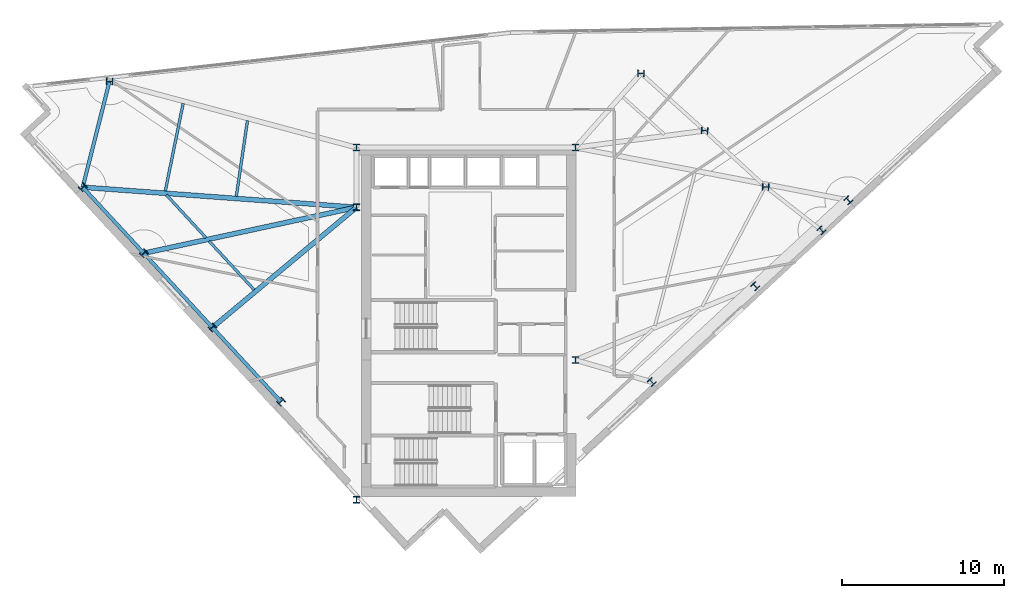
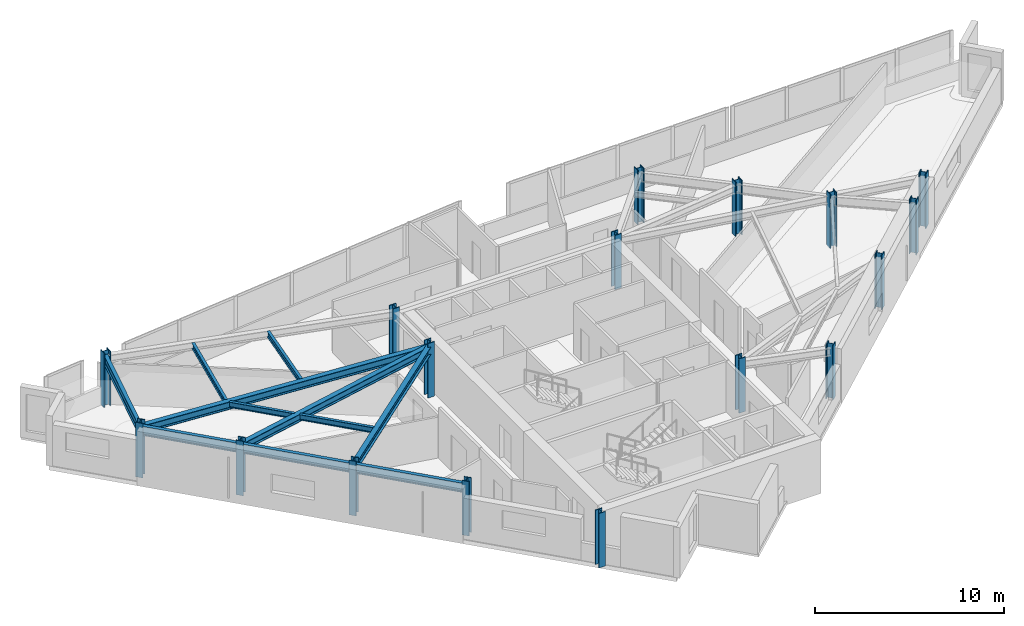
# One storey, part 1 of 14: 17 columns, 11 beams.
"""IFC4 building model written with IfcOpenShell, lengths in metres."""

from ifc_helpers import new_model, si_unit, direction, frame, origin, origin_2d, place, context, subcontext, project, spatial, i_section, extrude, material, material_profile, profile_set, type_object, element, save


model = new_model("IFC4")

# Units and contexts
model_context = context("Model", 3, precision=1e-05, world=origin(), true_north=direction((0.0, 1.0)))
body_context = subcontext(model_context, "Body", "Model", "MODEL_VIEW")
ifc_project = project(units=[si_unit("LENGTHUNIT", "METRE"), si_unit("AREAUNIT", "SQUARE_METRE"), si_unit("VOLUMEUNIT", "CUBIC_METRE"), si_unit("PLANEANGLEUNIT", "RADIAN"), si_unit("MASSUNIT", "GRAM", prefix="KILO")], contexts=[model_context])

# Site, building, storey
site_placement = place(None, origin())
site = spatial("IfcSite", under=ifc_project, at=site_placement, CompositionType="ELEMENT")
building_placement = place(site_placement, origin())
building = spatial("IfcBuilding", under=site, at=building_placement, Name="Narakoshi Arena Tower", CompositionType="ELEMENT")
storey_placement = place(building_placement, frame((0.0, 0.0, 288.89990234375)))
storey = spatial("IfcBuildingStorey", under=building, at=storey_placement, Name="L79", CompositionType="ELEMENT", Elevation=288.89990234375)

# Columns
ifc_material = material(Name="Structural steel S355J2", Category="steel")
ifc_material_profile_1 = material_profile(ifc_material, i_section(OverallWidth=0.406005859375, OverallDepth=0.416015625, WebThickness=0.02978515625, FlangeThickness=0.048095703125, FilletRadius=0.014892578125, at=origin_2d()), Name="HD400x382")
ifc_profile_set_1 = profile_set([ifc_material_profile_1], Name="Structural steel S355J2")
column_type = type_object("IfcColumnType", Name="COL-STL382", PredefinedType="COLUMN", material=ifc_profile_set_1)
for number, where, z_axis, x_axis, name in (
    (1, (72.0, 34.699951171875, 0.0), (0.0, 0.0, 1.0), (1.0, 0.0, 0.0), "L79 Core Structural Column CC1"),
    (2, (85.550048828125, 43.35009765625, 0.0), (0.0, 0.0, 1.0), (1.0, 0.0, 0.0), "L79 Core Structural Column CC3"),
    (3, (72.0, 52.800048828125, 0.0), (0.0, 0.0, 1.0), (1.0, 0.0, 0.0), "L79 Core Structural Column CC4"),
    (4, (72.0, 56.5, 0.0), (0.0, 0.0, 1.0), (1.0, 0.0, 0.0), "L79 Core Structural Column CC5"),
    (5, (85.550048828125, 56.5, 0.0), (0.0, 0.0, 1.0), (1.0, 0.0, 0.0), "L79 Core Structural Column CC6"),
    (6, (90.2734375, 41.992919921875, 0.0), (0.0, 0.0, 1.0), (0.734322509436, 0.678800745533, 0.0), "L79 Tower Perimeter Column TC01"),
    (7, (96.6787109375, 47.913818359375, 0.0), (0.0, 0.0, 1.0), (0.734322509436, 0.678800745533, 0.0), "L79 Tower Perimeter Column TC02"),
    (8, (102.443359375, 53.242431640625, 0.0), (0.0, 0.0, 1.0), (0.734322509436, 0.678800745533, 0.0), "L79 Tower Perimeter Column TC03"),
    (9, (100.78173828125, 51.379638671875, 0.0), (0.0, 0.0, 1.0), (0.734322509436, 0.678800745533, 0.0), "L79 Tower Perimeter Column TC04"),
    (10, (97.3291015625, 54.0654296875, 0.0), (0.0, 0.0, 1.0), (0.039259815759, 0.999229036241, 0.0), "L79 Tower Perimeter Column TC05"),
    (11, (93.55029296875, 57.543701171875, 0.0), (0.0, 0.0, 1.0), (0.039259815759, 0.999229036241, 0.0), "L79 Tower Perimeter Column TC06"),
    (12, (89.611328125, 61.09033203125, 0.0), (0.0, 0.0, 1.0), (0.039259815759, 0.999229036241, 0.0), "L79 Tower Perimeter Column TC07"),
    (13, (56.717041015625, 60.59814453125, 0.0), (0.0, 0.0, 1.0), (0.039259815759, 0.999229036241, 0.0), "L79 Tower Perimeter Column TC10"),
    (14, (55.05810546875, 54.04638671875, 0.0), (0.0, 0.0, 1.0), (-0.678800745533, 0.734322509436, 0.0), "L79 Tower Perimeter Column TC13"),
    (15, (58.8349609375, 49.960693359375, 0.0), (0.0, 0.0, 1.0), (-0.678800745533, 0.734322509436, 0.0), "L79 Tower Perimeter Column TC14"),
    (16, (63.083984375, 45.3642578125, 0.0), (0.0, 0.0, 1.0), (-0.678800745533, 0.734322509436, 0.0), "L79 Tower Perimeter Column TC15"),
    (17, (67.332763671875, 40.767578125, 0.0), (0.0, 0.0, 1.0), (-0.678800745533, 0.734322509436, 0.0), "L79 Tower Perimeter Column TC16"),
):
    element("IfcColumn", number, at=place(storey_placement, frame(where, z_axis=z_axis, x_axis=x_axis)), inside=storey, type_object=column_type, Name=name, PredefinedType="COLUMN", context=body_context, shape_type="SweptSolid", body=[
        extrude(i_section(OverallWidth=0.406005859375, OverallDepth=0.416015625, WebThickness=0.02978515625, FlangeThickness=0.048095703125, FilletRadius=0.014892578125, at=origin_2d()), origin(), (0.0, 0.0, 1.0), 3.52001953125),
    ])

# Beams
ifc_material_profile_2 = material_profile(ifc_material, i_section(OverallWidth=0.219970703125, OverallDepth=0.60009765625, WebThickness=0.011962890625, FlangeThickness=0.01904296875, FilletRadius=0.02392578125, at=origin_2d()), Name="IPE600")
ifc_profile_set_2 = profile_set([ifc_material_profile_2], Name="Structural steel S355J2")
beam_type_1 = type_object("IfcBeamType", Name="BM-EDGE-600", PredefinedType="BEAM", material=ifc_profile_set_2)
beam_1_placement = place(storey_placement, frame((56.717041015625, 60.59814453125, 2.960205078125), z_axis=(-0.245458392699, -0.969407126781, 0.0), x_axis=(0.969407126781, -0.245458392699, 0.0)))
element("IfcBeam", 18, at=beam_1_placement, inside=storey, type_object=beam_type_1, Name="L79 Perimeter Edge Girder 08", PredefinedType="BEAM", context=body_context, shape_type="SweptSolid", body=[
    extrude(i_section(OverallWidth=0.219970703125, OverallDepth=0.60009765625, WebThickness=0.011962890625, FlangeThickness=0.01904296875, FilletRadius=0.02392578125, at=origin_2d()), origin(), (0.0, 0.0, 1.0), 6.758544921875),
])
beam_2_placement = place(storey_placement, frame((55.05810546875, 54.04638671875, 2.960205078125), z_axis=(0.678808438166, -0.734315398365, 0.0), x_axis=(0.734315398365, 0.678808438166, 0.0)))
element("IfcBeam", 19, at=beam_2_placement, inside=storey, type_object=beam_type_1, Name="L79 Perimeter Edge Girder 09", PredefinedType="BEAM", context=body_context, shape_type="SweptSolid", body=[
    extrude(i_section(OverallWidth=0.219970703125, OverallDepth=0.60009765625, WebThickness=0.011962890625, FlangeThickness=0.01904296875, FilletRadius=0.02392578125, at=origin_2d()), origin(), (0.0, 0.0, 1.0), 5.56396484375),
])
for number, where, z_axis, x_axis, name in (
    (20, (58.8349609375, 49.960693359375, 2.960205078125), (0.678811265787, -0.734312784473, 0.0), (0.734312784473, 0.678811265787, 0.0), "L79 Perimeter Edge Girder 10"),
    (21, (63.083984375, 45.3642578125, 2.960205078125), (0.678770792221, -0.734350196859, 0.0), (0.734350196859, 0.678770792221, 0.0), "L79 Perimeter Edge Girder 11"),
):
    element("IfcBeam", number, at=place(storey_placement, frame(where, z_axis=z_axis, x_axis=x_axis)), inside=storey, type_object=beam_type_1, Name=name, PredefinedType="BEAM", context=body_context, shape_type="SweptSolid", body=[
        extrude(i_section(OverallWidth=0.219970703125, OverallDepth=0.60009765625, WebThickness=0.011962890625, FlangeThickness=0.01904296875, FilletRadius=0.02392578125, at=origin_2d()), origin(), (0.0, 0.0, 1.0), 6.259521484375),
    ])
ifc_material_profile_3 = material_profile(ifc_material, i_section(OverallWidth=0.300048828125, OverallDepth=0.5, WebThickness=0.014404296875, FlangeThickness=0.028076171875, FilletRadius=0.027099609375, at=origin_2d()), Name="HE500B")
ifc_profile_set_3 = profile_set([ifc_material_profile_3], Name="Structural steel S355J2")
beam_type_2 = type_object("IfcBeamType", Name="BM-PRI-500", PredefinedType="BEAM", material=ifc_profile_set_3)
beam_3_placement = place(storey_placement, frame((72.0, 52.800048828125, 3.010009765625), z_axis=(-0.997304997013, 0.073367178859, 0.0), x_axis=(-0.073367178859, -0.997304997013, 0.0)))
element("IfcBeam", 22, at=beam_3_placement, inside=storey, type_object=beam_type_2, Name="L79 Radial Primary Floor Girder 09", PredefinedType="BEAM", context=body_context, shape_type="SweptSolid", body=[
    extrude(i_section(OverallWidth=0.300048828125, OverallDepth=0.5, WebThickness=0.014404296875, FlangeThickness=0.028076171875, FilletRadius=0.027099609375, at=origin_2d()), origin(), (0.0, 0.0, 1.0), 16.98779296875),
])
beam_4_placement = place(storey_placement, frame((72.0, 52.800048828125, 3.010009765625), z_axis=(-0.977523534755, -0.210826324256, 0.0), x_axis=(0.210826324256, -0.977523534755, 0.0)))
element("IfcBeam", 23, at=beam_4_placement, inside=storey, type_object=beam_type_2, Name="L79 Radial Primary Floor Girder 10", PredefinedType="BEAM", context=body_context, shape_type="SweptSolid", body=[
    extrude(i_section(OverallWidth=0.300048828125, OverallDepth=0.5, WebThickness=0.014404296875, FlangeThickness=0.028076171875, FilletRadius=0.027099609375, at=origin_2d()), origin(), (0.0, 0.0, 1.0), 13.4677734375),
])
beam_5_placement = place(storey_placement, frame((72.0, 52.800048828125, 3.010009765625), z_axis=(-0.767976460513, -0.640478068397, 0.0), x_axis=(0.640478068397, -0.767976460513, 0.0)))
element("IfcBeam", 24, at=beam_5_placement, inside=storey, type_object=beam_type_2, Name="L79 Radial Primary Floor Girder 11", PredefinedType="BEAM", context=body_context, shape_type="SweptSolid", body=[
    extrude(i_section(OverallWidth=0.300048828125, OverallDepth=0.5, WebThickness=0.014404296875, FlangeThickness=0.028076171875, FilletRadius=0.027099609375, at=origin_2d()), origin(), (0.0, 0.0, 1.0), 11.60986328125),
])
ifc_material_profile_4 = material_profile(ifc_material, i_section(OverallWidth=0.169921875, OverallDepth=0.360107421875, WebThickness=0.008056640625, FlangeThickness=0.0126953125, FilletRadius=0.01806640625, at=origin_2d()), Name="IPE360")
ifc_profile_set_4 = profile_set([ifc_material_profile_4], Name="Structural steel S355J2")
beam_type_3 = type_object("IfcBeamType", Name="BM-SEC-360", PredefinedType="JOIST", material=ifc_profile_set_4)
beam_6_placement = place(storey_placement, frame((65.255859375, 58.169677734375, 3.080078125), z_axis=(-0.145762470348, -0.989319615816, 0.0), x_axis=(0.989319615816, -0.145762470348, 0.0)))
element("IfcBeam", 25, at=beam_6_placement, inside=storey, type_object=beam_type_3, Name="L79 Composite Secondary Floor Joist 06", PredefinedType="JOIST", context=body_context, shape_type="SweptSolid", body=[
    extrude(i_section(OverallWidth=0.169921875, OverallDepth=0.360107421875, WebThickness=0.008056640625, FlangeThickness=0.0126953125, FilletRadius=0.01806640625, at=origin_2d()), origin(), (0.0, 0.0, 1.0), 4.73828125),
])
beam_7_placement = place(storey_placement, frame((61.27490234375, 59.236328125, 3.080078125), z_axis=(-0.199731342868, -0.979850698156, 0.0), x_axis=(0.979850698156, -0.199731342868, 0.0)))
element("IfcBeam", 26, at=beam_7_placement, inside=storey, type_object=beam_type_3, Name="L79 Composite Secondary Floor Joist 07", PredefinedType="JOIST", context=body_context, shape_type="SweptSolid", body=[
    extrude(i_section(OverallWidth=0.169921875, OverallDepth=0.360107421875, WebThickness=0.008056640625, FlangeThickness=0.0126953125, FilletRadius=0.01806640625, at=origin_2d()), origin(), (0.0, 0.0, 1.0), 5.543212890625),
])
beam_8_placement = place(storey_placement, frame((60.232421875, 53.5732421875, 3.080078125), z_axis=(0.678811454839, -0.73431260971, 0.0), x_axis=(0.73431260971, 0.678811454839, 0.0)))
element("IfcBeam", 27, at=beam_8_placement, inside=storey, type_object=beam_type_3, Name="L79 Composite Secondary Floor Joist 08", PredefinedType="JOIST", context=body_context, shape_type="SweptSolid", body=[
    extrude(i_section(OverallWidth=0.169921875, OverallDepth=0.360107421875, WebThickness=0.008056640625, FlangeThickness=0.0126953125, FilletRadius=0.01806640625, at=origin_2d()), origin(), (0.0, 0.0, 1.0), 3.624755859375),
])
beam_9_placement = place(storey_placement, frame((62.876220703125, 50.71337890625, 3.080078125), z_axis=(0.678770736096, -0.734350248736, 0.0), x_axis=(0.734350248736, 0.678770736096, 0.0)))
element("IfcBeam", 28, at=beam_9_placement, inside=storey, type_object=beam_type_3, Name="L79 Composite Secondary Floor Joist 09", PredefinedType="JOIST", context=body_context, shape_type="SweptSolid", body=[
    extrude(i_section(OverallWidth=0.169921875, OverallDepth=0.360107421875, WebThickness=0.008056640625, FlangeThickness=0.0126953125, FilletRadius=0.01806640625, at=origin_2d()), origin(), (0.0, 0.0, 1.0), 4.111572265625),
])

save(model, "model.ifc")
